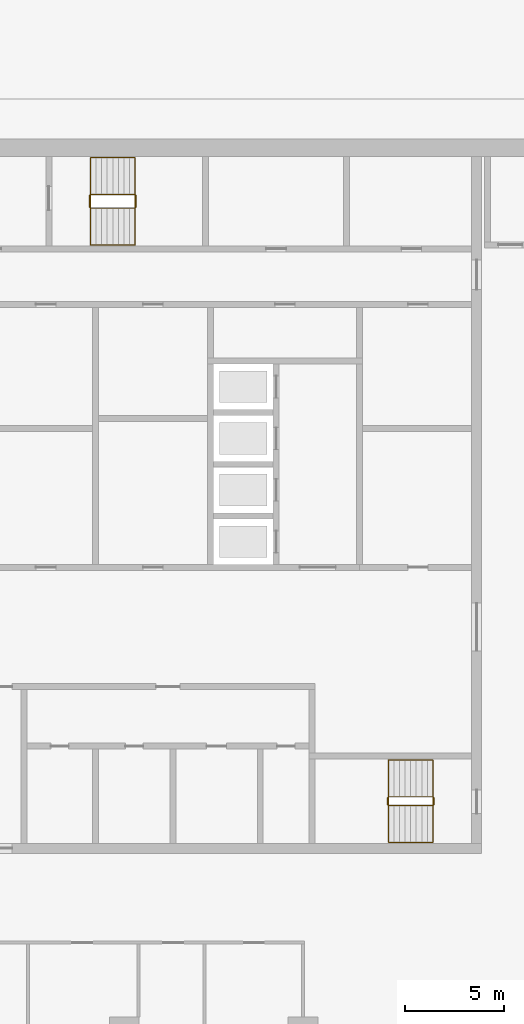
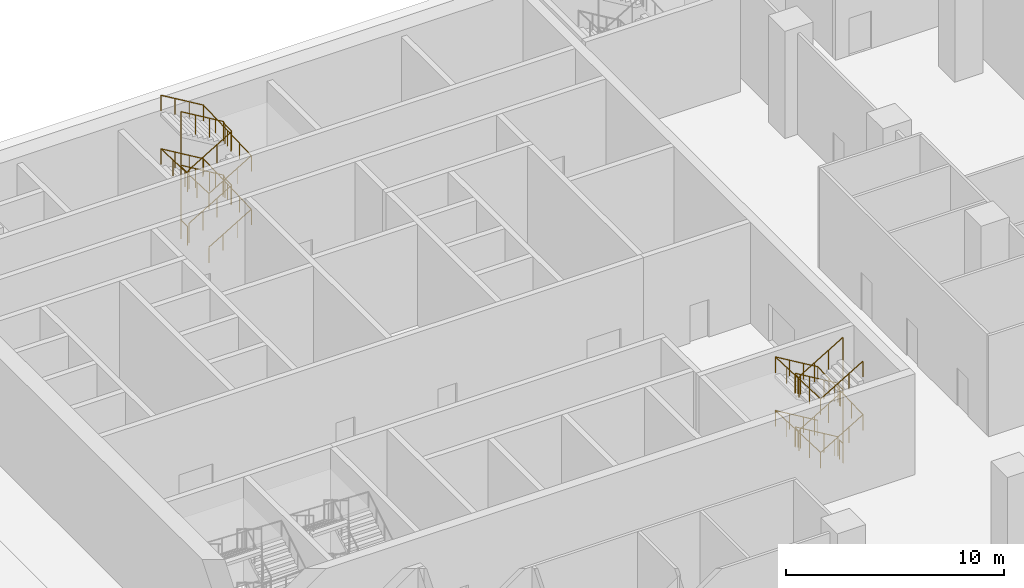
# One storey, part 40 of 47: 4 railings.
"""IFC4 building model written with IfcOpenShell, lengths in metres."""

from ifc_helpers import new_model, si_unit, direction, frame, origin, origin_2d, place, context, subcontext, project, spatial, circle, extrude, material, type_object, element, save


model = new_model("IFC4")

# Units and contexts
model_context = context("Model", 3, precision=1e-05, world=origin(), true_north=direction((0.0, 1.0)))
body_context = subcontext(model_context, "Body", "Model", "MODEL_VIEW")
ifc_project = project(units=[si_unit("LENGTHUNIT", "METRE"), si_unit("AREAUNIT", "SQUARE_METRE"), si_unit("VOLUMEUNIT", "CUBIC_METRE"), si_unit("PLANEANGLEUNIT", "RADIAN"), si_unit("MASSUNIT", "GRAM", prefix="KILO")], contexts=[model_context])

# Site, building, storey
site_placement = place(None, origin())
site = spatial("IfcSite", under=ifc_project, at=site_placement, CompositionType="ELEMENT")
building_placement = place(site_placement, origin())
building = spatial("IfcBuilding", under=site, at=building_placement, Name="Hunhe Ridgeline Campus", CompositionType="ELEMENT")
storey_placement = place(building_placement, origin())
storey = spatial("IfcBuildingStorey", under=building, at=storey_placement, Name="L00", CompositionType="ELEMENT", Elevation=0.0)

# Railings
ifc_material_1 = material(Name="Stainless steel balustrade", Category="steel")
railing_type_1 = type_object("IfcRailingType", Name="Stair guard 1100 stainless", PredefinedType="GUARDRAIL", material=ifc_material_1)
railing_1_placement = place(storey_placement, frame((16.300048828125, 95.5, 0.166748046875)))
element("IfcRailing", 1, at=railing_1_placement, inside=storey, type_object=railing_type_1, Name="L00 stair S1 guard", PredefinedType="GUARDRAIL", context=body_context, shape_type="SweptSolid", body=[
    extrude(circle(Radius=0.02392578125, at=origin_2d()), frame((0.0, 0.0, 1.076171875), z_axis=(0.859305625298, 0.0, 0.511462454469), x_axis=(0.0, 1.0, 0.0)), (0.0, 0.0, 1.0), 2.606689453125),
    extrude(circle(Radius=0.02392578125, at=origin_2d()), frame((2.239990234375, 0.0, 2.4091796875), z_axis=(0.707106781187, 0.707106781187, 0.0), x_axis=(-0.707106781187, 0.707106781187, 0.0)), (0.0, 0.0, 1.0), 0.07080078125),
    extrude(circle(Radius=0.02392578125, at=origin_2d()), frame((2.2900390625, 0.050048828125, 2.4091796875), z_axis=(0.0, 1.0, 0.0), x_axis=(-1.0, 0.0, 0.0)), (0.0, 0.0, 1.0), 0.599853515625),
    extrude(circle(Radius=0.02392578125, at=origin_2d()), frame((2.2900390625, 0.64990234375, 2.4091796875), z_axis=(-0.27628659633, 0.27628659633, 0.920506074601), x_axis=(-0.707106781187, -0.707106781187, 0.0)), (0.0, 0.0, 1.0), 0.18115234375),
    extrude(circle(Radius=0.02392578125, at=origin_2d()), frame((2.239990234375, 0.699951171875, 2.576171875), z_axis=(-0.859305625298, 0.0, 0.511462454469), x_axis=(0.0, -1.0, 0.0)), (0.0, 0.0, 1.0), 2.606689453125),
    extrude(circle(Radius=0.02392578125, at=origin_2d()), frame((0.0, 0.699951171875, 3.9091796875), z_axis=(-0.707106781187, -0.707106781187, 0.0), x_axis=(0.707106781187, -0.707106781187, 0.0)), (0.0, 0.0, 1.0), 0.07080078125),
    extrude(circle(Radius=0.02392578125, at=origin_2d()), frame((-0.050048828125, 0.64990234375, 3.9091796875), z_axis=(0.0, -1.0, 0.0), x_axis=(1.0, 0.0, 0.0)), (0.0, 0.0, 1.0), 0.599853515625),
    extrude(circle(Radius=0.02392578125, at=origin_2d()), frame((-0.050048828125, 0.050048828125, 3.9091796875), z_axis=(0.27628659633, -0.27628659633, 0.920506074601), x_axis=(0.707106781187, 0.707106781187, 0.0)), (0.0, 0.0, 1.0), 0.18115234375),
    extrude(circle(Radius=0.02392578125, at=origin_2d()), frame((0.0, 0.0, 4.076171875), z_axis=(0.859305625298, 0.0, 0.511462454469), x_axis=(0.0, 1.0, 0.0)), (0.0, 0.0, 1.0), 2.606689453125),
    extrude(circle(Radius=0.02392578125, at=origin_2d()), frame((2.239990234375, 0.0, 5.4091796875), z_axis=(0.707106781187, 0.707106781187, 0.0), x_axis=(-0.707106781187, 0.707106781187, 0.0)), (0.0, 0.0, 1.0), 0.07080078125),
    extrude(circle(Radius=0.02392578125, at=origin_2d()), frame((2.2900390625, 0.050048828125, 5.4091796875), z_axis=(0.0, 1.0, 0.0), x_axis=(-1.0, 0.0, 0.0)), (0.0, 0.0, 1.0), 0.599853515625),
    extrude(circle(Radius=0.02392578125, at=origin_2d()), frame((2.2900390625, 0.64990234375, 5.4091796875), z_axis=(-0.27628659633, 0.27628659633, 0.920506074601), x_axis=(-0.707106781187, -0.707106781187, 0.0)), (0.0, 0.0, 1.0), 0.18115234375),
    extrude(circle(Radius=0.02392578125, at=origin_2d()), frame((2.239990234375, 0.699951171875, 5.576171875), z_axis=(-0.859305625298, 0.0, 0.511462454469), x_axis=(0.0, -1.0, 0.0)), (0.0, 0.0, 1.0), 2.606689453125),
    extrude(circle(Radius=0.02392578125, at=origin_2d()), frame((0.0, 0.699951171875, 6.9091796875), z_axis=(-0.008340891014, -0.008340891014, -0.999930427117), x_axis=(1.0, 0.0, 0.0)), (0.0, 0.0, 1.0), 6.00048828125),
    extrude(circle(Radius=0.02392578125, at=origin_2d()), frame((-0.050048828125, 0.64990234375, 0.9091796875), z_axis=(0.0, -1.0, 0.0), x_axis=(1.0, 0.0, 0.0)), (0.0, 0.0, 1.0), 0.599853515625),
    extrude(circle(Radius=0.02099609375, at=origin_2d()), origin(), (0.0, 0.0, 1.0), 1.052001953125),
    extrude(circle(Radius=0.02099609375, at=origin_2d()), frame((0.74658203125, 0.0, 0.4443359375)), (0.0, 0.0, 1.0), 1.052001953125),
    extrude(circle(Radius=0.02099609375, at=origin_2d()), frame((1.493408203125, 0.0, 0.888916015625)), (0.0, 0.0, 1.0), 1.052001953125),
    extrude(circle(Radius=0.02099609375, at=origin_2d()), frame((2.239990234375, 0.0, 1.333251953125)), (0.0, 0.0, 1.0), 1.052001953125),
    extrude(circle(Radius=0.02099609375, at=origin_2d()), frame((2.2900390625, 0.050048828125, 1.333251953125)), (0.0, 0.0, 1.0), 1.052001953125),
    extrude(circle(Radius=0.02099609375, at=origin_2d()), frame((2.2900390625, 0.64990234375, 1.333251953125)), (0.0, 0.0, 1.0), 1.052001953125),
    extrude(circle(Radius=0.02099609375, at=origin_2d()), frame((2.239990234375, 0.699951171875, 1.5)), (0.0, 0.0, 1.0), 1.052001953125),
    extrude(circle(Radius=0.02099609375, at=origin_2d()), frame((1.493408203125, 0.699951171875, 1.9443359375)), (0.0, 0.0, 1.0), 1.052001953125),
    extrude(circle(Radius=0.02099609375, at=origin_2d()), frame((0.74658203125, 0.699951171875, 2.388916015625)), (0.0, 0.0, 1.0), 1.052001953125),
    extrude(circle(Radius=0.02099609375, at=origin_2d()), frame((0.0, 0.699951171875, 2.833251953125)), (0.0, 0.0, 1.0), 1.052001953125),
    extrude(circle(Radius=0.02099609375, at=origin_2d()), frame((-0.050048828125, 0.64990234375, 2.833251953125)), (0.0, 0.0, 1.0), 1.052001953125),
    extrude(circle(Radius=0.02099609375, at=origin_2d()), frame((-0.050048828125, 0.050048828125, 2.833251953125)), (0.0, 0.0, 1.0), 1.052001953125),
    extrude(circle(Radius=0.02099609375, at=origin_2d()), frame((0.0, 0.0, 3.0)), (0.0, 0.0, 1.0), 1.052001953125),
    extrude(circle(Radius=0.02099609375, at=origin_2d()), frame((0.74658203125, 0.0, 3.4443359375)), (0.0, 0.0, 1.0), 1.052001953125),
    extrude(circle(Radius=0.02099609375, at=origin_2d()), frame((1.493408203125, 0.0, 3.888916015625)), (0.0, 0.0, 1.0), 1.052001953125),
    extrude(circle(Radius=0.02099609375, at=origin_2d()), frame((2.239990234375, 0.0, 4.333251953125)), (0.0, 0.0, 1.0), 1.052001953125),
    extrude(circle(Radius=0.02099609375, at=origin_2d()), frame((2.2900390625, 0.050048828125, 4.333251953125)), (0.0, 0.0, 1.0), 1.052001953125),
    extrude(circle(Radius=0.02099609375, at=origin_2d()), frame((2.2900390625, 0.64990234375, 4.333251953125)), (0.0, 0.0, 1.0), 1.052001953125),
    extrude(circle(Radius=0.02099609375, at=origin_2d()), frame((2.239990234375, 0.699951171875, 4.5)), (0.0, 0.0, 1.0), 1.052001953125),
    extrude(circle(Radius=0.02099609375, at=origin_2d()), frame((1.493408203125, 0.699951171875, 4.9443359375)), (0.0, 0.0, 1.0), 1.052001953125),
    extrude(circle(Radius=0.02099609375, at=origin_2d()), frame((0.74658203125, 0.699951171875, 5.388916015625)), (0.0, 0.0, 1.0), 1.052001953125),
    extrude(circle(Radius=0.02099609375, at=origin_2d()), frame((0.0, 0.699951171875, 5.833251953125)), (0.0, 0.0, 1.0), 1.052001953125),
    extrude(circle(Radius=0.02099609375, at=origin_2d()), frame((-0.00830078125, 0.691650390625, 4.833251953125)), (0.0, 0.0, 1.0), 1.052001953125),
    extrude(circle(Radius=0.02099609375, at=origin_2d()), frame((-0.0166015625, 0.683349609375, 3.833251953125)), (0.0, 0.0, 1.0), 1.052001953125),
    extrude(circle(Radius=0.02099609375, at=origin_2d()), frame((-0.02490234375, 0.6748046875, 2.833251953125)), (0.0, 0.0, 1.0), 1.052001953125),
    extrude(circle(Radius=0.02099609375, at=origin_2d()), frame((-0.033447265625, 0.66650390625, 1.833251953125)), (0.0, 0.0, 1.0), 1.052001953125),
    extrude(circle(Radius=0.02099609375, at=origin_2d()), frame((-0.041748046875, 0.658203125, 0.833251953125)), (0.0, 0.0, 1.0), 1.052001953125),
    extrude(circle(Radius=0.02099609375, at=origin_2d()), frame((-0.050048828125, 0.64990234375, -0.166748046875)), (0.0, 0.0, 1.0), 1.052001953125),
    extrude(circle(Radius=0.02099609375, at=origin_2d()), frame((-0.050048828125, 0.050048828125, -0.166748046875)), (0.0, 0.0, 1.0), 1.052001953125),
])
railing_2_placement = place(storey_placement, frame((33.550048828125, 65.85009765625, 0.166748046875)))
element("IfcRailing", 2, at=railing_2_placement, inside=storey, type_object=railing_type_1, Name="L00 stair S2 guard", PredefinedType="GUARDRAIL", context=body_context, shape_type="SweptSolid", body=[
    extrude(circle(Radius=0.02392578125, at=origin_2d()), frame((0.0, 0.0, 1.076171875), z_axis=(-0.859305625298, 0.0, 0.511462454469), x_axis=(0.0, -1.0, 0.0)), (0.0, 0.0, 1.0), 2.606689453125),
    extrude(circle(Radius=0.02392578125, at=origin_2d()), frame((-2.239990234375, 0.0, 2.4091796875), z_axis=(-0.707106781187, -0.707106781187, 0.0), x_axis=(0.707106781187, -0.707106781187, 0.0)), (0.0, 0.0, 1.0), 0.07080078125),
    extrude(circle(Radius=0.02392578125, at=origin_2d()), frame((-2.2900390625, -0.050048828125, 2.4091796875), z_axis=(0.0, -1.0, 0.0), x_axis=(1.0, 0.0, 0.0)), (0.0, 0.0, 1.0), 0.35009765625),
    extrude(circle(Radius=0.02392578125, at=origin_2d()), frame((-2.2900390625, -0.400146484375, 2.4091796875), z_axis=(0.27628659633, -0.27628659633, 0.920506074601), x_axis=(0.707106781187, 0.707106781187, 0.0)), (0.0, 0.0, 1.0), 0.18115234375),
    extrude(circle(Radius=0.02392578125, at=origin_2d()), frame((-2.239990234375, -0.4501953125, 2.576171875), z_axis=(0.859305625298, 0.0, 0.511462454469), x_axis=(0.0, 1.0, 0.0)), (0.0, 0.0, 1.0), 2.606689453125),
    extrude(circle(Radius=0.02392578125, at=origin_2d()), frame((0.0, -0.4501953125, 3.9091796875), z_axis=(0.707106781187, 0.707106781187, 0.0), x_axis=(-0.707106781187, 0.707106781187, 0.0)), (0.0, 0.0, 1.0), 0.07080078125),
    extrude(circle(Radius=0.02392578125, at=origin_2d()), frame((0.050048828125, -0.400146484375, 3.9091796875), z_axis=(0.0, 1.0, 0.0), x_axis=(-1.0, 0.0, 0.0)), (0.0, 0.0, 1.0), 0.35009765625),
    extrude(circle(Radius=0.02392578125, at=origin_2d()), frame((0.050048828125, -0.050048828125, 3.9091796875), z_axis=(-0.27628659633, 0.27628659633, 0.920506074601), x_axis=(-0.707106781187, -0.707106781187, 0.0)), (0.0, 0.0, 1.0), 0.18115234375),
    extrude(circle(Radius=0.02392578125, at=origin_2d()), frame((0.0, 0.0, 4.076171875), z_axis=(-0.859305625298, 0.0, 0.511462454469), x_axis=(0.0, -1.0, 0.0)), (0.0, 0.0, 1.0), 2.606689453125),
    extrude(circle(Radius=0.02392578125, at=origin_2d()), frame((-2.239990234375, 0.0, 5.4091796875), z_axis=(-0.707106781187, -0.707106781187, 0.0), x_axis=(0.707106781187, -0.707106781187, 0.0)), (0.0, 0.0, 1.0), 0.07080078125),
    extrude(circle(Radius=0.02392578125, at=origin_2d()), frame((-2.2900390625, -0.050048828125, 5.4091796875), z_axis=(0.0, -1.0, 0.0), x_axis=(1.0, 0.0, 0.0)), (0.0, 0.0, 1.0), 0.35009765625),
    extrude(circle(Radius=0.02392578125, at=origin_2d()), frame((-2.2900390625, -0.400146484375, 5.4091796875), z_axis=(0.27628659633, -0.27628659633, 0.920506074601), x_axis=(0.707106781187, 0.707106781187, 0.0)), (0.0, 0.0, 1.0), 0.18115234375),
    extrude(circle(Radius=0.02392578125, at=origin_2d()), frame((-2.239990234375, -0.4501953125, 5.576171875), z_axis=(0.859305625298, 0.0, 0.511462454469), x_axis=(0.0, 1.0, 0.0)), (0.0, 0.0, 1.0), 2.606689453125),
    extrude(circle(Radius=0.02392578125, at=origin_2d()), frame((0.0, -0.4501953125, 6.9091796875), z_axis=(0.008340891014, 0.008340891014, -0.999930427117), x_axis=(1.0, 0.0, 0.0)), (0.0, 0.0, 1.0), 6.00048828125),
    extrude(circle(Radius=0.02392578125, at=origin_2d()), frame((0.050048828125, -0.400146484375, 0.9091796875), z_axis=(0.0, 1.0, 0.0), x_axis=(-1.0, 0.0, 0.0)), (0.0, 0.0, 1.0), 0.35009765625),
    extrude(circle(Radius=0.02099609375, at=origin_2d()), origin(), (0.0, 0.0, 1.0), 1.052001953125),
    extrude(circle(Radius=0.02099609375, at=origin_2d()), frame((-0.74658203125, 0.0, 0.4443359375)), (0.0, 0.0, 1.0), 1.052001953125),
    extrude(circle(Radius=0.02099609375, at=origin_2d()), frame((-1.493408203125, 0.0, 0.888916015625)), (0.0, 0.0, 1.0), 1.052001953125),
    extrude(circle(Radius=0.02099609375, at=origin_2d()), frame((-2.239990234375, 0.0, 1.333251953125)), (0.0, 0.0, 1.0), 1.052001953125),
    extrude(circle(Radius=0.02099609375, at=origin_2d()), frame((-2.2900390625, -0.050048828125, 1.333251953125)), (0.0, 0.0, 1.0), 1.052001953125),
    extrude(circle(Radius=0.02099609375, at=origin_2d()), frame((-2.2900390625, -0.400146484375, 1.333251953125)), (0.0, 0.0, 1.0), 1.052001953125),
    extrude(circle(Radius=0.02099609375, at=origin_2d()), frame((-2.239990234375, -0.4501953125, 1.5)), (0.0, 0.0, 1.0), 1.052001953125),
    extrude(circle(Radius=0.02099609375, at=origin_2d()), frame((-1.493408203125, -0.4501953125, 1.9443359375)), (0.0, 0.0, 1.0), 1.052001953125),
    extrude(circle(Radius=0.02099609375, at=origin_2d()), frame((-0.74658203125, -0.4501953125, 2.388916015625)), (0.0, 0.0, 1.0), 1.052001953125),
    extrude(circle(Radius=0.02099609375, at=origin_2d()), frame((0.0, -0.4501953125, 2.833251953125)), (0.0, 0.0, 1.0), 1.052001953125),
    extrude(circle(Radius=0.02099609375, at=origin_2d()), frame((0.050048828125, -0.400146484375, 2.833251953125)), (0.0, 0.0, 1.0), 1.052001953125),
    extrude(circle(Radius=0.02099609375, at=origin_2d()), frame((0.050048828125, -0.050048828125, 2.833251953125)), (0.0, 0.0, 1.0), 1.052001953125),
    extrude(circle(Radius=0.02099609375, at=origin_2d()), frame((0.0, 0.0, 3.0)), (0.0, 0.0, 1.0), 1.052001953125),
    extrude(circle(Radius=0.02099609375, at=origin_2d()), frame((-0.74658203125, 0.0, 3.4443359375)), (0.0, 0.0, 1.0), 1.052001953125),
    extrude(circle(Radius=0.02099609375, at=origin_2d()), frame((-1.493408203125, 0.0, 3.888916015625)), (0.0, 0.0, 1.0), 1.052001953125),
    extrude(circle(Radius=0.02099609375, at=origin_2d()), frame((-2.239990234375, 0.0, 4.333251953125)), (0.0, 0.0, 1.0), 1.052001953125),
    extrude(circle(Radius=0.02099609375, at=origin_2d()), frame((-2.2900390625, -0.050048828125, 4.333251953125)), (0.0, 0.0, 1.0), 1.052001953125),
    extrude(circle(Radius=0.02099609375, at=origin_2d()), frame((-2.2900390625, -0.400146484375, 4.333251953125)), (0.0, 0.0, 1.0), 1.052001953125),
    extrude(circle(Radius=0.02099609375, at=origin_2d()), frame((-2.239990234375, -0.4501953125, 4.5)), (0.0, 0.0, 1.0), 1.052001953125),
    extrude(circle(Radius=0.02099609375, at=origin_2d()), frame((-1.493408203125, -0.4501953125, 4.9443359375)), (0.0, 0.0, 1.0), 1.052001953125),
    extrude(circle(Radius=0.02099609375, at=origin_2d()), frame((-0.74658203125, -0.4501953125, 5.388916015625)), (0.0, 0.0, 1.0), 1.052001953125),
    extrude(circle(Radius=0.02099609375, at=origin_2d()), frame((0.0, -0.4501953125, 5.833251953125)), (0.0, 0.0, 1.0), 1.052001953125),
    extrude(circle(Radius=0.02099609375, at=origin_2d()), frame((0.00830078125, -0.44189453125, 4.833251953125)), (0.0, 0.0, 1.0), 1.052001953125),
    extrude(circle(Radius=0.02099609375, at=origin_2d()), frame((0.0166015625, -0.43359375, 3.833251953125)), (0.0, 0.0, 1.0), 1.052001953125),
    extrude(circle(Radius=0.02099609375, at=origin_2d()), frame((0.02490234375, -0.42529296875, 2.833251953125)), (0.0, 0.0, 1.0), 1.052001953125),
    extrude(circle(Radius=0.02099609375, at=origin_2d()), frame((0.033447265625, -0.416748046875, 1.833251953125)), (0.0, 0.0, 1.0), 1.052001953125),
    extrude(circle(Radius=0.02099609375, at=origin_2d()), frame((0.041748046875, -0.408447265625, 0.833251953125)), (0.0, 0.0, 1.0), 1.052001953125),
    extrude(circle(Radius=0.02099609375, at=origin_2d()), frame((0.050048828125, -0.400146484375, -0.166748046875)), (0.0, 0.0, 1.0), 1.052001953125),
    extrude(circle(Radius=0.02099609375, at=origin_2d()), frame((0.050048828125, -0.050048828125, -0.166748046875)), (0.0, 0.0, 1.0), 1.052001953125),
])
ifc_material_2 = material(Name="Stainless steel handrail", Category="steel")
railing_type_2 = type_object("IfcRailingType", Name="Stair handrail 900 stainless", PredefinedType="HANDRAIL", material=ifc_material_2)
railing_3_placement = place(storey_placement, frame((16.300048828125, 93.64990234375, 0.166748046875)))
element("IfcRailing", 3, at=railing_3_placement, inside=storey, type_object=railing_type_2, Name="L00 stair S1 handrail", PredefinedType="HANDRAIL", context=body_context, shape_type="SweptSolid", body=[
    extrude(circle(Radius=0.02392578125, at=origin_2d()), frame((0.0, 0.0, 0.8759765625), z_axis=(0.859305625298, 0.0, 0.511462454469), x_axis=(0.0, 1.0, 0.0)), (0.0, 0.0, 1.0), 2.606689453125),
    extrude(circle(Radius=0.02392578125, at=origin_2d()), frame((2.239990234375, 0.0, 2.208984375), z_axis=(0.0, 0.999282718246, 0.037868839625), x_axis=(-1.0, 0.0, 0.0)), (0.0, 0.0, 1.0), 4.4033203125),
    extrude(circle(Radius=0.02392578125, at=origin_2d()), frame((2.239990234375, 4.400146484375, 2.3759765625), z_axis=(-0.859305625298, 0.0, 0.511462454469), x_axis=(0.0, -1.0, 0.0)), (0.0, 0.0, 1.0), 2.606689453125),
    extrude(circle(Radius=0.02392578125, at=origin_2d()), frame((0.0, 4.400146484375, 3.708984375), z_axis=(0.0, -0.999282718246, 0.037868839625), x_axis=(1.0, 0.0, 0.0)), (0.0, 0.0, 1.0), 4.4033203125),
    extrude(circle(Radius=0.02392578125, at=origin_2d()), frame((0.0, 0.0, 3.8759765625), z_axis=(0.859305625298, 0.0, 0.511462454469), x_axis=(0.0, 1.0, 0.0)), (0.0, 0.0, 1.0), 2.606689453125),
    extrude(circle(Radius=0.02392578125, at=origin_2d()), frame((2.239990234375, 0.0, 5.208984375), z_axis=(0.0, 0.999282718246, 0.037868839625), x_axis=(-1.0, 0.0, 0.0)), (0.0, 0.0, 1.0), 4.4033203125),
    extrude(circle(Radius=0.02392578125, at=origin_2d()), frame((2.239990234375, 4.400146484375, 5.3759765625), z_axis=(-0.859305625298, 0.0, 0.511462454469), x_axis=(0.0, -1.0, 0.0)), (0.0, 0.0, 1.0), 2.606689453125),
    extrude(circle(Radius=0.02099609375, at=origin_2d()), origin(), (0.0, 0.0, 1.0), 0.851806640625),
    extrude(circle(Radius=0.02099609375, at=origin_2d()), frame((0.74658203125, 0.0, 0.4443359375)), (0.0, 0.0, 1.0), 0.851806640625),
    extrude(circle(Radius=0.02099609375, at=origin_2d()), frame((1.493408203125, 0.0, 0.888916015625)), (0.0, 0.0, 1.0), 0.851806640625),
    extrude(circle(Radius=0.02099609375, at=origin_2d()), frame((2.239990234375, 0.0, 1.333251953125)), (0.0, 0.0, 1.0), 0.851806640625),
    extrude(circle(Radius=0.02099609375, at=origin_2d()), frame((2.239990234375, 1.10009765625, 1.375)), (0.0, 0.0, 1.0), 0.851806640625),
    extrude(circle(Radius=0.02099609375, at=origin_2d()), frame((2.239990234375, 2.2001953125, 1.41650390625)), (0.0, 0.0, 1.0), 0.851806640625),
    extrude(circle(Radius=0.02099609375, at=origin_2d()), frame((2.239990234375, 3.300048828125, 1.458251953125)), (0.0, 0.0, 1.0), 0.851806640625),
    extrude(circle(Radius=0.02099609375, at=origin_2d()), frame((2.239990234375, 4.400146484375, 1.5)), (0.0, 0.0, 1.0), 0.851806640625),
    extrude(circle(Radius=0.02099609375, at=origin_2d()), frame((1.493408203125, 4.400146484375, 1.9443359375)), (0.0, 0.0, 1.0), 0.851806640625),
    extrude(circle(Radius=0.02099609375, at=origin_2d()), frame((0.74658203125, 4.400146484375, 2.388916015625)), (0.0, 0.0, 1.0), 0.851806640625),
    extrude(circle(Radius=0.02099609375, at=origin_2d()), frame((0.0, 4.400146484375, 2.833251953125)), (0.0, 0.0, 1.0), 0.851806640625),
    extrude(circle(Radius=0.02099609375, at=origin_2d()), frame((0.0, 3.300048828125, 2.875)), (0.0, 0.0, 1.0), 0.851806640625),
    extrude(circle(Radius=0.02099609375, at=origin_2d()), frame((0.0, 2.2001953125, 2.91650390625)), (0.0, 0.0, 1.0), 0.851806640625),
    extrude(circle(Radius=0.02099609375, at=origin_2d()), frame((0.0, 1.10009765625, 2.958251953125)), (0.0, 0.0, 1.0), 0.851806640625),
    extrude(circle(Radius=0.02099609375, at=origin_2d()), frame((0.0, 0.0, 3.0)), (0.0, 0.0, 1.0), 0.851806640625),
    extrude(circle(Radius=0.02099609375, at=origin_2d()), frame((0.74658203125, 0.0, 3.4443359375)), (0.0, 0.0, 1.0), 0.851806640625),
    extrude(circle(Radius=0.02099609375, at=origin_2d()), frame((1.493408203125, 0.0, 3.888916015625)), (0.0, 0.0, 1.0), 0.851806640625),
    extrude(circle(Radius=0.02099609375, at=origin_2d()), frame((2.239990234375, 0.0, 4.333251953125)), (0.0, 0.0, 1.0), 0.851806640625),
    extrude(circle(Radius=0.02099609375, at=origin_2d()), frame((2.239990234375, 1.10009765625, 4.375)), (0.0, 0.0, 1.0), 0.851806640625),
    extrude(circle(Radius=0.02099609375, at=origin_2d()), frame((2.239990234375, 2.2001953125, 4.41650390625)), (0.0, 0.0, 1.0), 0.851806640625),
    extrude(circle(Radius=0.02099609375, at=origin_2d()), frame((2.239990234375, 3.300048828125, 4.458251953125)), (0.0, 0.0, 1.0), 0.851806640625),
    extrude(circle(Radius=0.02099609375, at=origin_2d()), frame((2.239990234375, 4.400146484375, 4.5)), (0.0, 0.0, 1.0), 0.851806640625),
    extrude(circle(Radius=0.02099609375, at=origin_2d()), frame((1.493408203125, 4.400146484375, 4.9443359375)), (0.0, 0.0, 1.0), 0.851806640625),
    extrude(circle(Radius=0.02099609375, at=origin_2d()), frame((0.74658203125, 4.400146484375, 5.388916015625)), (0.0, 0.0, 1.0), 0.851806640625),
    extrude(circle(Radius=0.02099609375, at=origin_2d()), frame((0.0, 4.400146484375, 5.833251953125)), (0.0, 0.0, 1.0), 0.851806640625),
])
railing_4_placement = place(storey_placement, frame((33.550048828125, 67.699951171875, 0.166748046875)))
element("IfcRailing", 4, at=railing_4_placement, inside=storey, type_object=railing_type_2, Name="L00 stair S2 handrail", PredefinedType="HANDRAIL", context=body_context, shape_type="SweptSolid", body=[
    extrude(circle(Radius=0.02392578125, at=origin_2d()), frame((0.0, 0.0, 0.8759765625), z_axis=(-0.859305625298, 0.0, 0.511462454469), x_axis=(0.0, -1.0, 0.0)), (0.0, 0.0, 1.0), 2.606689453125),
    extrude(circle(Radius=0.02392578125, at=origin_2d()), frame((-2.239990234375, 0.0, 2.208984375), z_axis=(0.0, -0.999193711872, 0.040148800165), x_axis=(1.0, 0.0, 0.0)), (0.0, 0.0, 1.0), 4.1533203125),
    extrude(circle(Radius=0.02392578125, at=origin_2d()), frame((-2.239990234375, -4.14990234375, 2.3759765625), z_axis=(0.859305625298, 0.0, 0.511462454469), x_axis=(0.0, 1.0, 0.0)), (0.0, 0.0, 1.0), 2.606689453125),
    extrude(circle(Radius=0.02392578125, at=origin_2d()), frame((0.0, -4.14990234375, 3.708984375), z_axis=(0.0, 0.999193711872, 0.040148800165), x_axis=(-1.0, 0.0, 0.0)), (0.0, 0.0, 1.0), 4.1533203125),
    extrude(circle(Radius=0.02392578125, at=origin_2d()), frame((0.0, 0.0, 3.8759765625), z_axis=(-0.859305625298, 0.0, 0.511462454469), x_axis=(0.0, -1.0, 0.0)), (0.0, 0.0, 1.0), 2.606689453125),
    extrude(circle(Radius=0.02392578125, at=origin_2d()), frame((-2.239990234375, 0.0, 5.208984375), z_axis=(0.0, -0.999193711872, 0.040148800165), x_axis=(1.0, 0.0, 0.0)), (0.0, 0.0, 1.0), 4.1533203125),
    extrude(circle(Radius=0.02392578125, at=origin_2d()), frame((-2.239990234375, -4.14990234375, 5.3759765625), z_axis=(0.859305625298, 0.0, 0.511462454469), x_axis=(0.0, 1.0, 0.0)), (0.0, 0.0, 1.0), 2.606689453125),
    extrude(circle(Radius=0.02099609375, at=origin_2d()), origin(), (0.0, 0.0, 1.0), 0.851806640625),
    extrude(circle(Radius=0.02099609375, at=origin_2d()), frame((-0.74658203125, 0.0, 0.4443359375)), (0.0, 0.0, 1.0), 0.851806640625),
    extrude(circle(Radius=0.02099609375, at=origin_2d()), frame((-1.493408203125, 0.0, 0.888916015625)), (0.0, 0.0, 1.0), 0.851806640625),
    extrude(circle(Radius=0.02099609375, at=origin_2d()), frame((-2.239990234375, 0.0, 1.333251953125)), (0.0, 0.0, 1.0), 0.851806640625),
    extrude(circle(Radius=0.02099609375, at=origin_2d()), frame((-2.239990234375, -1.03759765625, 1.375)), (0.0, 0.0, 1.0), 0.851806640625),
    extrude(circle(Radius=0.02099609375, at=origin_2d()), frame((-2.239990234375, -2.074951171875, 1.41650390625)), (0.0, 0.0, 1.0), 0.851806640625),
    extrude(circle(Radius=0.02099609375, at=origin_2d()), frame((-2.239990234375, -3.1123046875, 1.458251953125)), (0.0, 0.0, 1.0), 0.851806640625),
    extrude(circle(Radius=0.02099609375, at=origin_2d()), frame((-2.239990234375, -4.14990234375, 1.5)), (0.0, 0.0, 1.0), 0.851806640625),
    extrude(circle(Radius=0.02099609375, at=origin_2d()), frame((-1.493408203125, -4.14990234375, 1.9443359375)), (0.0, 0.0, 1.0), 0.851806640625),
    extrude(circle(Radius=0.02099609375, at=origin_2d()), frame((-0.74658203125, -4.14990234375, 2.388916015625)), (0.0, 0.0, 1.0), 0.851806640625),
    extrude(circle(Radius=0.02099609375, at=origin_2d()), frame((0.0, -4.14990234375, 2.833251953125)), (0.0, 0.0, 1.0), 0.851806640625),
    extrude(circle(Radius=0.02099609375, at=origin_2d()), frame((0.0, -3.1123046875, 2.875)), (0.0, 0.0, 1.0), 0.851806640625),
    extrude(circle(Radius=0.02099609375, at=origin_2d()), frame((0.0, -2.074951171875, 2.91650390625)), (0.0, 0.0, 1.0), 0.851806640625),
    extrude(circle(Radius=0.02099609375, at=origin_2d()), frame((0.0, -1.03759765625, 2.958251953125)), (0.0, 0.0, 1.0), 0.851806640625),
    extrude(circle(Radius=0.02099609375, at=origin_2d()), frame((0.0, 0.0, 3.0)), (0.0, 0.0, 1.0), 0.851806640625),
    extrude(circle(Radius=0.02099609375, at=origin_2d()), frame((-0.74658203125, 0.0, 3.4443359375)), (0.0, 0.0, 1.0), 0.851806640625),
    extrude(circle(Radius=0.02099609375, at=origin_2d()), frame((-1.493408203125, 0.0, 3.888916015625)), (0.0, 0.0, 1.0), 0.851806640625),
    extrude(circle(Radius=0.02099609375, at=origin_2d()), frame((-2.239990234375, 0.0, 4.333251953125)), (0.0, 0.0, 1.0), 0.851806640625),
    extrude(circle(Radius=0.02099609375, at=origin_2d()), frame((-2.239990234375, -1.03759765625, 4.375)), (0.0, 0.0, 1.0), 0.851806640625),
    extrude(circle(Radius=0.02099609375, at=origin_2d()), frame((-2.239990234375, -2.074951171875, 4.41650390625)), (0.0, 0.0, 1.0), 0.851806640625),
    extrude(circle(Radius=0.02099609375, at=origin_2d()), frame((-2.239990234375, -3.1123046875, 4.458251953125)), (0.0, 0.0, 1.0), 0.851806640625),
    extrude(circle(Radius=0.02099609375, at=origin_2d()), frame((-2.239990234375, -4.14990234375, 4.5)), (0.0, 0.0, 1.0), 0.851806640625),
    extrude(circle(Radius=0.02099609375, at=origin_2d()), frame((-1.493408203125, -4.14990234375, 4.9443359375)), (0.0, 0.0, 1.0), 0.851806640625),
    extrude(circle(Radius=0.02099609375, at=origin_2d()), frame((-0.74658203125, -4.14990234375, 5.388916015625)), (0.0, 0.0, 1.0), 0.851806640625),
    extrude(circle(Radius=0.02099609375, at=origin_2d()), frame((0.0, -4.14990234375, 5.833251953125)), (0.0, 0.0, 1.0), 0.851806640625),
])

save(model, "model.ifc")
